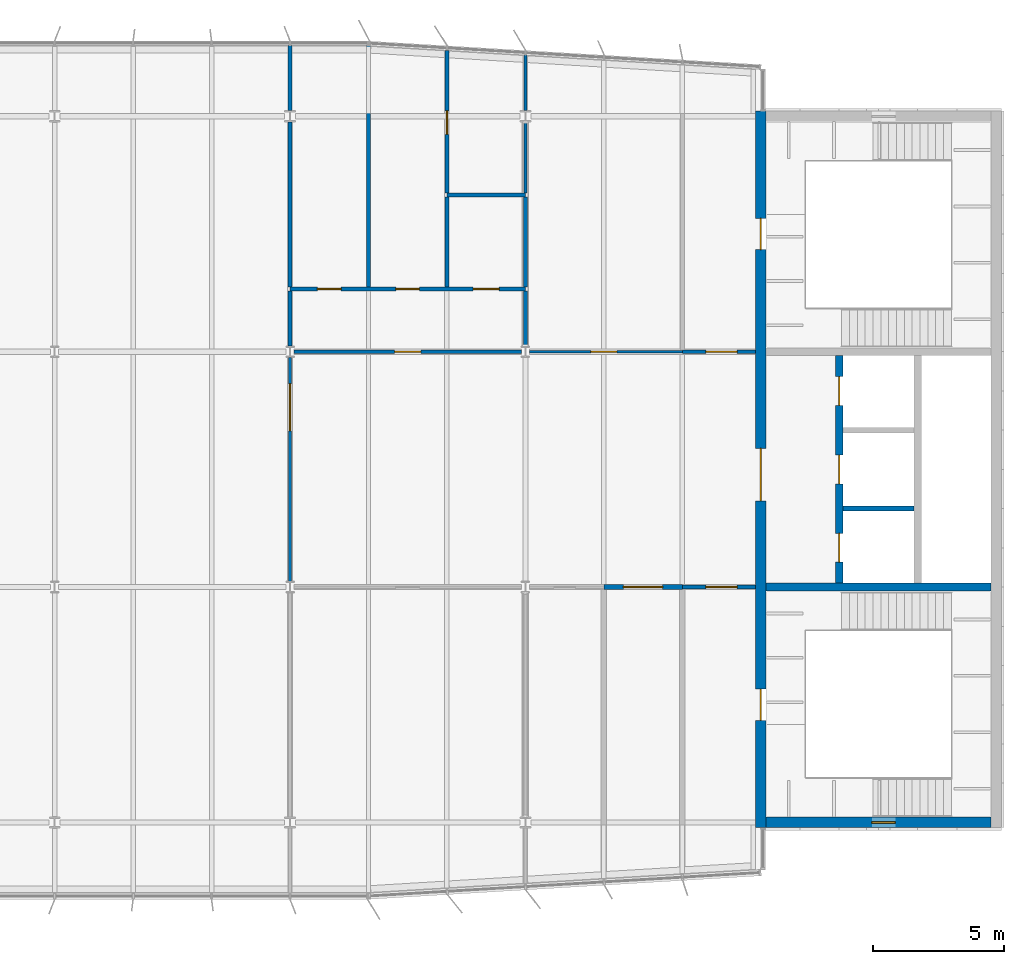
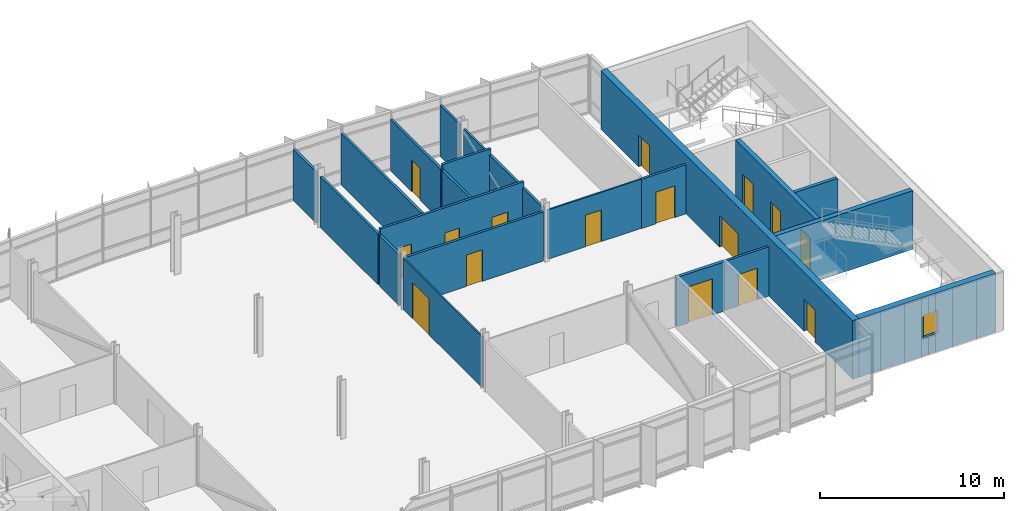
# One storey, part 13 of 18: 23 walls, 16 doors, 1 window, 17 openings.
"""IFC4 building model written with IfcOpenShell, lengths in metres."""

from ifc_helpers import new_model, si_unit, direction, frame, frame_2d, origin, place, context, subcontext, project, spatial, rectangle, extrude, material, layer, layer_set, type_object, element, fill, save


model = new_model("IFC4")

# Units and contexts
model_context = context("Model", 3, precision=1e-05, world=origin(), true_north=direction((0.0, 1.0)))
body_context = subcontext(model_context, "Body", "Model", "MODEL_VIEW")
ifc_project = project(units=[si_unit("LENGTHUNIT", "METRE"), si_unit("AREAUNIT", "SQUARE_METRE"), si_unit("VOLUMEUNIT", "CUBIC_METRE"), si_unit("PLANEANGLEUNIT", "RADIAN"), si_unit("MASSUNIT", "GRAM", prefix="KILO")], contexts=[model_context])

# Site, building, storey
site_placement = place(None, origin())
site = spatial("IfcSite", under=ifc_project, at=site_placement, CompositionType="ELEMENT")
building_placement = place(site_placement, origin())
building = spatial("IfcBuilding", under=site, at=building_placement, Name="Azimuth Sports and Learning Centre", CompositionType="ELEMENT")
storey_placement = place(building_placement, frame((0.0, 0.0, 59.699951171875)))
storey = spatial("IfcBuildingStorey", under=building, at=storey_placement, Name="L13", CompositionType="ELEMENT", Elevation=59.699951171875)

# Wall
ifc_material_1 = material(Name="Dense masonry blockwork", Category="masonry")
ifc_layer_1 = layer(ifc_material_1, 0.199951171875)
ifc_layer_set_1 = layer_set([ifc_layer_1], Name="Dense masonry blockwork")
wall_type_1 = type_object("IfcWallType", Name="Blockwork wall 200 EI 120", PredefinedType="SOLIDWALL", material=ifc_layer_set_1)
wall_1_placement = place(storey_placement, frame((111.14990234375, 102.0, 0.0), z_axis=(0.0, 0.0, 1.0), x_axis=(1.0, 0.0, 0.0)))
element("IfcWall", 1, at=wall_1_placement, inside=storey, type_object=wall_type_1, Name="SD-E-1-L13", PredefinedType="SOLIDWALL", context=body_context, shape_type="SweptSolid", body=[
    extrude(rectangle(XDim=2.7001953125, YDim=0.199951171875, at=frame_2d((1.35009765625, 0.0))), origin(), (0.0, 0.0, 1.0), 3.900146484375),
])

# Wall, opening, door
ifc_material_2 = material(Name="Gypsum board on steel studs", Category="steel")
ifc_layer_2 = layer(ifc_material_2, 0.10009765625)
ifc_layer_set_2 = layer_set([ifc_layer_2], Name="Gypsum board on steel studs")
wall_type_2 = type_object("IfcWallType", Name="Partition 100 EI 30", PredefinedType="PARTITIONING", material=ifc_layer_set_2)
wall_2_placement = place(storey_placement, frame((99.153564453125, 108.0, 0.0), z_axis=(0.0, 0.0, 1.0), x_axis=(1.0, 0.0, 0.0)))
wall_2 = element("IfcWall", 2, at=wall_2_placement, inside=storey, type_object=wall_type_2, Name="Partition Classroom 13.18 / Learning Street East", PredefinedType="PARTITIONING", context=body_context, shape_type="SweptSolid", body=[
    extrude(rectangle(XDim=5.846435546875, YDim=0.10009765625, at=frame_2d((2.92333984375, 0.0))), origin(), (0.0, 0.0, 1.0), 3.27001953125),
])
opening_1_placement = place(wall_2_placement, frame((2.346435546875, 0.0, 0.0)))
opening_1 = element("IfcOpeningElement", 3, at=opening_1_placement, cuts=wall_2, Name="Opening D13-023", PredefinedType="OPENING", context=body_context, shape_type="SweptSolid", body=[
    extrude(rectangle(XDim=1.0, YDim=2.10009765625, at=frame_2d((0.5, 1.050048828125))), frame((0.0, 0.06103515625, 0.0), z_axis=(0.0, -1.0, 0.0), x_axis=(1.0, 0.0, 0.0)), (0.0, 0.0, 1.0), 0.1220703125),
])
ifc_material_3 = material(Name="Painted steel door set", Category="steel")
door_type_1 = type_object("IfcDoorType", Name="Fire door FD30S 1000 x 2100", OperationType="NOTDEFINED", PredefinedType="DOOR", material=ifc_material_3)
door_1_placement = place(opening_1_placement, origin())
door_1 = element("IfcDoor", 4, at=door_1_placement, inside=storey, type_object=door_type_1, Name="Door Classroom 13.18 / Learning Street East", OperationType="SINGLE_SWING_LEFT", OverallHeight=2.10009765625, OverallWidth=1.0, PredefinedType="DOOR", context=body_context, shape_type="SweptSolid", body=[
    extrude(rectangle(XDim=1.0, YDim=2.10009765625, at=frame_2d((0.5, 1.050048828125))), frame((0.0, 0.02490234375, 0.0), z_axis=(0.0, -1.0, 0.0), x_axis=(1.0, 0.0, 0.0)), (0.0, 0.0, 1.0), 0.050048828125),
])
fill(opening_1, door_1)

wall_3_placement = place(storey_placement, frame((90.0, 99.216064453125, 0.0), z_axis=(0.0, 0.0, 1.0), x_axis=(0.0, 1.0, 0.0)))
wall_3 = element("IfcWall", 5, at=wall_3_placement, inside=storey, type_object=wall_type_2, Name="Partition Computing Studio 13.08 / Learning Street East", PredefinedType="PARTITIONING", context=body_context, shape_type="SweptSolid", body=[
    extrude(rectangle(XDim=8.56787109375, YDim=0.10009765625, at=frame_2d((4.283935546875, 0.0))), origin(), (0.0, 0.0, 1.0), 3.3701171875),
])
opening_2_placement = place(wall_3_placement, frame((5.759033203125, 0.0, 0.0)))
opening_2 = element("IfcOpeningElement", 6, at=opening_2_placement, cuts=wall_3, Name="Opening D13-017", PredefinedType="OPENING", context=body_context, shape_type="SweptSolid", body=[
    extrude(rectangle(XDim=1.800048828125, YDim=2.39990234375, at=frame_2d((0.89990234375, 1.199951171875))), frame((0.0, 0.06103515625, 0.0), z_axis=(0.0, -1.0, 0.0), x_axis=(1.0, 0.0, 0.0)), (0.0, 0.0, 1.0), 0.1220703125),
])
ifc_material_4 = material(Name="Painted steel door set", Category="steel")
door_type_2 = type_object("IfcDoorType", Name="Fire door FD30S 1800 x 2400 double leaf", OperationType="DOUBLE_DOOR_SINGLE_SWING", PredefinedType="DOOR", material=ifc_material_4)
door_2_placement = place(opening_2_placement, origin())
door_2 = element("IfcDoor", 7, at=door_2_placement, inside=storey, type_object=door_type_2, Name="Door Computing Studio 13.08 / Learning Street East", OperationType="DOUBLE_DOOR_SINGLE_SWING", OverallHeight=2.39990234375, OverallWidth=1.800048828125, PredefinedType="DOOR", context=body_context, shape_type="SweptSolid", body=[
    extrude(rectangle(XDim=1.800048828125, YDim=2.39990234375, at=frame_2d((0.89990234375, 1.199951171875))), frame((0.0, 0.02490234375, 0.0), z_axis=(0.0, -1.0, 0.0), x_axis=(1.0, 0.0, 0.0)), (0.0, 0.0, 1.0), 0.050048828125),
])
fill(opening_2, door_2)

# Walls
ifc_material_5 = material(Name="Gypsum board on steel studs, acoustic", Category="steel")
ifc_layer_3 = layer(ifc_material_5, 0.125)
ifc_layer_set_3 = layer_set([ifc_layer_3], Name="Gypsum board on steel studs, acoustic")
wall_type_3 = type_object("IfcWallType", Name="Partition 125 EI 60", PredefinedType="PARTITIONING", material=ifc_layer_set_3)
wall_4_placement = place(storey_placement, frame((99.0, 114.074951171875, 0.0), z_axis=(0.0, 0.0, 1.0), x_axis=(0.0, 1.0, 0.0)))
element("IfcWall", 8, at=wall_4_placement, inside=storey, type_object=wall_type_3, Name="Partition Cleaner Store 13.17 / Classroom 13.18", PredefinedType="PARTITIONING", context=body_context, shape_type="SweptSolid", body=[
    extrude(rectangle(XDim=2.70751953125, YDim=0.125, at=frame_2d((1.353759765625, 0.0))), origin(), (0.0, 0.0, 1.0), 3.3701171875),
])
wall_5_placement = place(storey_placement, frame((99.0, 117.217529296875, 0.0), z_axis=(0.0, 0.0, 1.0), x_axis=(0.0, 1.0, 0.0)))
element("IfcWall", 9, at=wall_5_placement, inside=storey, type_object=wall_type_3, Name="Partition Cleaner Store 13.17 / Classroom 13.18", PredefinedType="PARTITIONING", context=body_context, shape_type="SweptSolid", body=[
    extrude(rectangle(XDim=2.12255859375, YDim=0.125, at=frame_2d((1.061279296875, 0.0))), origin(), (0.0, 0.0, 1.0), 3.41015625),
])

# Wall, opening, door
ifc_material_6 = material(Name="Lightweight blockwork, rendered", Category="masonry")
ifc_layer_4 = layer(ifc_material_6, 0.14990234375)
ifc_layer_set_4 = layer_set([ifc_layer_4], Name="Lightweight blockwork, rendered")
wall_type_4 = type_object("IfcWallType", Name="Partition 150 EI 60", PredefinedType="PARTITIONING", material=ifc_layer_set_4)
wall_6_placement = place(storey_placement, frame((105.0, 99.0, 0.0), z_axis=(0.0, 0.0, 1.0), x_axis=(1.0, 0.0, 0.0)))
wall_6 = element("IfcWall", 10, at=wall_6_placement, inside=storey, type_object=wall_type_4, Name="Partition Stair Lobby E1 13.03 / Learning Street East", PredefinedType="PARTITIONING", context=body_context, shape_type="SweptSolid", body=[
    extrude(rectangle(XDim=2.800048828125, YDim=0.14990234375, at=frame_2d((1.39990234375, 0.0))), origin(), (0.0, 0.0, 1.0), 3.27001953125),
])
opening_3_placement = place(wall_6_placement, frame((0.89990234375, 0.0, 0.0)))
opening_3 = element("IfcOpeningElement", 11, at=opening_3_placement, cuts=wall_6, Name="Opening D13-013", PredefinedType="OPENING", context=body_context, shape_type="SweptSolid", body=[
    extrude(rectangle(XDim=1.199951171875, YDim=2.10009765625, at=frame_2d((0.60009765625, 1.050048828125))), frame((0.0, 0.0859375, 0.0), z_axis=(0.0, -1.0, 0.0), x_axis=(1.0, 0.0, 0.0)), (0.0, 0.0, 1.0), 0.171875),
])
ifc_material_7 = material(Name="Painted steel door set", Category="steel")
door_type_3 = type_object("IfcDoorType", Name="Fire door FD60 1200 x 2100", OperationType="NOTDEFINED", PredefinedType="DOOR", material=ifc_material_7)
door_3_placement = place(opening_3_placement, frame((1.199951171875, 0.0, 0.0), z_axis=(0.0, 0.0, 1.0), x_axis=(-1.0, 0.0, 0.0)))
door_3 = element("IfcDoor", 12, at=door_3_placement, inside=storey, type_object=door_type_3, Name="Door Stair Lobby E1 13.03 / Learning Street East", OperationType="SINGLE_SWING_LEFT", OverallHeight=2.10009765625, OverallWidth=1.199951171875, PredefinedType="DOOR", context=body_context, shape_type="SweptSolid", body=[
    extrude(rectangle(XDim=1.199951171875, YDim=2.10009765625, at=frame_2d((0.60009765625, 1.050048828125))), frame((0.0, 0.02490234375, 0.0), z_axis=(0.0, -1.0, 0.0), x_axis=(1.0, 0.0, 0.0)), (0.0, 0.0, 1.0), 0.050048828125),
])
fill(opening_3, door_3)

wall_7_placement = place(storey_placement, frame((90.153564453125, 108.0, 0.0), z_axis=(0.0, 0.0, 1.0), x_axis=(1.0, 0.0, 0.0)))
wall_7 = element("IfcWall", 13, at=wall_7_placement, inside=storey, type_object=wall_type_4, Name="Partition WC Lobby 13.13 / Learning Street East", PredefinedType="PARTITIONING", context=body_context, shape_type="SweptSolid", body=[
    extrude(rectangle(XDim=8.69287109375, YDim=0.14990234375, at=frame_2d((4.346435546875, 0.0))), origin(), (0.0, 0.0, 1.0), 3.27001953125),
])
opening_4_placement = place(wall_7_placement, frame((3.846435546875, 0.0, 0.0)))
opening_4 = element("IfcOpeningElement", 14, at=opening_4_placement, cuts=wall_7, Name="Opening D13-022", PredefinedType="OPENING", context=body_context, shape_type="SweptSolid", body=[
    extrude(rectangle(XDim=1.0, YDim=2.10009765625, at=frame_2d((0.5, 1.050048828125))), frame((0.0, 0.0859375, 0.0), z_axis=(0.0, -1.0, 0.0), x_axis=(1.0, 0.0, 0.0)), (0.0, 0.0, 1.0), 0.171875),
])
ifc_material_8 = material(Name="Painted steel door set", Category="steel")
door_type_4 = type_object("IfcDoorType", Name="Fire door FD60 1000 x 2100", OperationType="NOTDEFINED", PredefinedType="DOOR", material=ifc_material_8)
door_4_placement = place(opening_4_placement, origin())
door_4 = element("IfcDoor", 15, at=door_4_placement, inside=storey, type_object=door_type_4, Name="Door WC Lobby 13.13 / Learning Street East", OperationType="SINGLE_SWING_LEFT", OverallHeight=2.10009765625, OverallWidth=1.0, PredefinedType="DOOR", context=body_context, shape_type="SweptSolid", body=[
    extrude(rectangle(XDim=1.0, YDim=2.10009765625, at=frame_2d((0.5, 1.050048828125))), frame((0.0, 0.02490234375, 0.0), z_axis=(0.0, -1.0, 0.0), x_axis=(1.0, 0.0, 0.0)), (0.0, 0.0, 1.0), 0.050048828125),
])
fill(opening_4, door_4)

wall_8_placement = place(storey_placement, frame((105.0, 108.0, 0.0), z_axis=(0.0, 0.0, 1.0), x_axis=(1.0, 0.0, 0.0)))
wall_8 = element("IfcWall", 16, at=wall_8_placement, inside=storey, type_object=wall_type_4, Name="Partition Stair Lobby E2 13.04 / Learning Street East", PredefinedType="PARTITIONING", context=body_context, shape_type="SweptSolid", body=[
    extrude(rectangle(XDim=2.800048828125, YDim=0.14990234375, at=frame_2d((1.39990234375, 0.0))), origin(), (0.0, 0.0, 1.0), 3.27001953125),
])
opening_5_placement = place(wall_8_placement, frame((0.89990234375, 0.0, 0.0)))
opening_5 = element("IfcOpeningElement", 17, at=opening_5_placement, cuts=wall_8, Name="Opening D13-014", PredefinedType="OPENING", context=body_context, shape_type="SweptSolid", body=[
    extrude(rectangle(XDim=1.199951171875, YDim=2.10009765625, at=frame_2d((0.60009765625, 1.050048828125))), frame((0.0, 0.0859375, 0.0), z_axis=(0.0, -1.0, 0.0), x_axis=(1.0, 0.0, 0.0)), (0.0, 0.0, 1.0), 0.171875),
])
door_5_placement = place(opening_5_placement, origin())
door_5 = element("IfcDoor", 18, at=door_5_placement, inside=storey, type_object=door_type_3, Name="Door Stair Lobby E2 13.04 / Learning Street East", OperationType="SINGLE_SWING_RIGHT", OverallHeight=2.10009765625, OverallWidth=1.199951171875, PredefinedType="DOOR", context=body_context, shape_type="SweptSolid", body=[
    extrude(rectangle(XDim=1.199951171875, YDim=2.10009765625, at=frame_2d((0.60009765625, 1.050048828125))), frame((0.0, 0.02490234375, 0.0), z_axis=(0.0, -1.0, 0.0), x_axis=(1.0, 0.0, 0.0)), (0.0, 0.0, 1.0), 0.050048828125),
])
fill(opening_5, door_5)

# Wall, openings, doors
wall_9_placement = place(storey_placement, frame((90.0, 110.39990234375, 0.0), z_axis=(0.0, 0.0, 1.0), x_axis=(1.0, 0.0, 0.0)))
wall_9 = element("IfcWall", 19, at=wall_9_placement, inside=storey, type_object=wall_type_4, Name="Partition WC Lobby 13.13 / Men WC 13.14", PredefinedType="PARTITIONING", context=body_context, shape_type="SweptSolid", body=[
    extrude(rectangle(XDim=9.0, YDim=0.14990234375, at=frame_2d((4.5, 0.0))), origin(), (0.0, 0.0, 1.0), 3.77001953125),
])
opening_6_placement = place(wall_9_placement, frame((1.050048828125, 0.0, 0.0)))
opening_6 = element("IfcOpeningElement", 20, at=opening_6_placement, cuts=wall_9, Name="Opening D13-024", PredefinedType="OPENING", context=body_context, shape_type="SweptSolid", body=[
    extrude(rectangle(XDim=0.89990234375, YDim=2.10009765625, at=frame_2d((0.449951171875, 1.050048828125))), frame((0.0, 0.0859375, 0.0), z_axis=(0.0, -1.0, 0.0), x_axis=(1.0, 0.0, 0.0)), (0.0, 0.0, 1.0), 0.171875),
])
opening_7_placement = place(wall_9_placement, frame((4.050048828125, 0.0, 0.0)))
opening_7 = element("IfcOpeningElement", 21, at=opening_7_placement, cuts=wall_9, Name="Opening D13-025", PredefinedType="OPENING", context=body_context, shape_type="SweptSolid", body=[
    extrude(rectangle(XDim=0.89990234375, YDim=2.10009765625, at=frame_2d((0.449951171875, 1.050048828125))), frame((0.0, 0.0859375, 0.0), z_axis=(0.0, -1.0, 0.0), x_axis=(1.0, 0.0, 0.0)), (0.0, 0.0, 1.0), 0.171875),
])
opening_8_placement = place(wall_9_placement, frame((7.0, 0.0, 0.0)))
opening_8 = element("IfcOpeningElement", 22, at=opening_8_placement, cuts=wall_9, Name="Opening D13-026", PredefinedType="OPENING", context=body_context, shape_type="SweptSolid", body=[
    extrude(rectangle(XDim=1.0, YDim=2.10009765625, at=frame_2d((0.5, 1.050048828125))), frame((0.0, 0.0859375, 0.0), z_axis=(0.0, -1.0, 0.0), x_axis=(1.0, 0.0, 0.0)), (0.0, 0.0, 1.0), 0.171875),
])
door_6_placement = place(opening_8_placement, origin())
door_6 = element("IfcDoor", 23, at=door_6_placement, inside=storey, type_object=door_type_4, Name="Door WC Lobby 13.13 / Accessible WC 13.16", OperationType="SINGLE_SWING_LEFT", OverallHeight=2.10009765625, OverallWidth=1.0, PredefinedType="DOOR", context=body_context, shape_type="SweptSolid", body=[
    extrude(rectangle(XDim=1.0, YDim=2.10009765625, at=frame_2d((0.5, 1.050048828125))), frame((0.0, 0.02490234375, 0.0), z_axis=(0.0, -1.0, 0.0), x_axis=(1.0, 0.0, 0.0)), (0.0, 0.0, 1.0), 0.050048828125),
])
fill(opening_8, door_6)
ifc_material_9 = material(Name="Painted steel door set", Category="steel")
door_type_5 = type_object("IfcDoorType", Name="Fire door FD60 900 x 2100", OperationType="NOTDEFINED", PredefinedType="DOOR", material=ifc_material_9)
door_7_placement = place(opening_6_placement, frame((0.89990234375, 0.0, 0.0), z_axis=(0.0, 0.0, 1.0), x_axis=(-1.0, 0.0, 0.0)))
door_7 = element("IfcDoor", 24, at=door_7_placement, inside=storey, type_object=door_type_5, Name="Door WC Lobby 13.13 / Men WC 13.14", OperationType="SINGLE_SWING_RIGHT", OverallHeight=2.10009765625, OverallWidth=0.89990234375, PredefinedType="DOOR", context=body_context, shape_type="SweptSolid", body=[
    extrude(rectangle(XDim=0.89990234375, YDim=2.10009765625, at=frame_2d((0.449951171875, 1.050048828125))), frame((0.0, 0.02490234375, 0.0), z_axis=(0.0, -1.0, 0.0), x_axis=(1.0, 0.0, 0.0)), (0.0, 0.0, 1.0), 0.050048828125),
])
fill(opening_6, door_7)
door_8_placement = place(opening_7_placement, frame((0.89990234375, 0.0, 0.0), z_axis=(0.0, 0.0, 1.0), x_axis=(-1.0, 0.0, 0.0)))
door_8 = element("IfcDoor", 25, at=door_8_placement, inside=storey, type_object=door_type_5, Name="Door WC Lobby 13.13 / Women WC 13.15", OperationType="SINGLE_SWING_RIGHT", OverallHeight=2.10009765625, OverallWidth=0.89990234375, PredefinedType="DOOR", context=body_context, shape_type="SweptSolid", body=[
    extrude(rectangle(XDim=0.89990234375, YDim=2.10009765625, at=frame_2d((0.449951171875, 1.050048828125))), frame((0.0, 0.02490234375, 0.0), z_axis=(0.0, -1.0, 0.0), x_axis=(1.0, 0.0, 0.0)), (0.0, 0.0, 1.0), 0.050048828125),
])
fill(opening_7, door_8)

# Walls
wall_10_placement = place(storey_placement, frame((96.0, 114.0, 0.0), z_axis=(0.0, 0.0, 1.0), x_axis=(1.0, 0.0, 0.0)))
element("IfcWall", 26, at=wall_10_placement, inside=storey, type_object=wall_type_4, Name="Partition Accessible WC 13.16 / Cleaner Store 13.17", PredefinedType="PARTITIONING", context=body_context, shape_type="SweptSolid", body=[
    extrude(rectangle(XDim=3.0, YDim=0.14990234375, at=frame_2d((1.5, 0.0))), origin(), (0.0, 0.0, 1.0), 3.77001953125),
])
wall_11_placement = place(storey_placement, frame((90.0, 108.216064453125, 0.0), z_axis=(0.0, 0.0, 1.0), x_axis=(0.0, 1.0, 0.0)))
element("IfcWall", 27, at=wall_11_placement, inside=storey, type_object=wall_type_4, Name="Partition Computing Studio 13.08 / WC Lobby 13.13", PredefinedType="PARTITIONING", context=body_context, shape_type="SweptSolid", body=[
    extrude(rectangle(XDim=2.10888671875, YDim=0.14990234375, at=frame_2d((1.054443359375, 0.0))), origin(), (0.0, 0.0, 1.0), 3.3701171875),
])
wall_12_placement = place(storey_placement, frame((90.0, 110.47509765625, 0.0), z_axis=(0.0, 0.0, 1.0), x_axis=(0.0, 1.0, 0.0)))
element("IfcWall", 28, at=wall_12_placement, inside=storey, type_object=wall_type_4, Name="Partition Computing Studio 13.08 / WC Lobby 13.13", PredefinedType="PARTITIONING", context=body_context, shape_type="SweptSolid", body=[
    extrude(rectangle(XDim=6.307373046875, YDim=0.14990234375, at=frame_2d((3.15380859375, 0.0))), origin(), (0.0, 0.0, 1.0), 3.3701171875),
])
wall_13_placement = place(storey_placement, frame((90.0, 117.217529296875, 0.0), z_axis=(0.0, 0.0, 1.0), x_axis=(0.0, 1.0, 0.0)))
element("IfcWall", 29, at=wall_13_placement, inside=storey, type_object=wall_type_4, Name="Partition Computing Studio 13.08 / WC Lobby 13.13", PredefinedType="PARTITIONING", context=body_context, shape_type="SweptSolid", body=[
    extrude(rectangle(XDim=2.482421875, YDim=0.14990234375, at=frame_2d((1.2412109375, 0.0))), origin(), (0.0, 0.0, 1.0), 3.41015625),
])
wall_14_placement = place(storey_placement, frame((93.0, 110.47509765625, 0.0), z_axis=(0.0, 0.0, 1.0), x_axis=(0.0, 1.0, 0.0)))
element("IfcWall", 30, at=wall_14_placement, inside=storey, type_object=wall_type_4, Name="Partition Men WC 13.14 / Women WC 13.15", PredefinedType="PARTITIONING", context=body_context, shape_type="SweptSolid", body=[
    extrude(rectangle(XDim=9.224853515625, YDim=0.14990234375, at=frame_2d((4.6123046875, 0.0))), origin(), (0.0, 0.0, 1.0), 3.41015625),
])
wall_15_placement = place(storey_placement, frame((96.0, 110.47509765625, 0.0), z_axis=(0.0, 0.0, 1.0), x_axis=(0.0, 1.0, 0.0)))
element("IfcWall", 31, at=wall_15_placement, inside=storey, type_object=wall_type_4, Name="Partition Women WC 13.15 / Accessible WC 13.16", PredefinedType="PARTITIONING", context=body_context, shape_type="SweptSolid", body=[
    extrude(rectangle(XDim=3.449951171875, YDim=0.14990234375, at=frame_2d((1.72509765625, 0.0))), origin(), (0.0, 0.0, 1.0), 3.41015625),
])

# Wall, opening, door
wall_16_placement = place(storey_placement, frame((96.0, 114.074951171875, 0.0), z_axis=(0.0, 0.0, 1.0), x_axis=(0.0, 1.0, 0.0)))
wall_16 = element("IfcWall", 32, at=wall_16_placement, inside=storey, type_object=wall_type_4, Name="Partition Women WC 13.15 / Accessible WC 13.16", PredefinedType="PARTITIONING", context=body_context, shape_type="SweptSolid", body=[
    extrude(rectangle(XDim=5.445068359375, YDim=0.14990234375, at=frame_2d((2.72265625, 0.0))), origin(), (0.0, 0.0, 1.0), 3.41015625),
])
opening_9_placement = place(wall_16_placement, frame((2.235107421875, 0.0, 0.0)))
opening_9 = element("IfcOpeningElement", 33, at=opening_9_placement, cuts=wall_16, Name="Opening D13-027", PredefinedType="OPENING", context=body_context, shape_type="SweptSolid", body=[
    extrude(rectangle(XDim=0.89990234375, YDim=2.10009765625, at=frame_2d((0.449951171875, 1.050048828125))), frame((0.0, 0.0859375, 0.0), z_axis=(0.0, -1.0, 0.0), x_axis=(1.0, 0.0, 0.0)), (0.0, 0.0, 1.0), 0.171875),
])
door_9_placement = place(opening_9_placement, frame((0.89990234375, 0.0, 0.0), z_axis=(0.0, 0.0, 1.0), x_axis=(-1.0, 0.0, 0.0)))
door_9 = element("IfcDoor", 34, at=door_9_placement, inside=storey, type_object=door_type_5, Name="Door Women WC 13.15 / Cleaner Store 13.17", OperationType="SINGLE_SWING_RIGHT", OverallHeight=2.10009765625, OverallWidth=0.89990234375, PredefinedType="DOOR", context=body_context, shape_type="SweptSolid", body=[
    extrude(rectangle(XDim=0.89990234375, YDim=2.10009765625, at=frame_2d((0.449951171875, 1.050048828125))), frame((0.0, 0.02490234375, 0.0), z_axis=(0.0, -1.0, 0.0), x_axis=(1.0, 0.0, 0.0)), (0.0, 0.0, 1.0), 0.050048828125),
])
fill(opening_9, door_9)

# Walls
wall_17_placement = place(storey_placement, frame((99.0, 108.216064453125, 0.0), z_axis=(0.0, 0.0, 1.0), x_axis=(0.0, 1.0, 0.0)))
element("IfcWall", 35, at=wall_17_placement, inside=storey, type_object=wall_type_4, Name="Partition WC Lobby 13.13 / Accessible WC 13.16", PredefinedType="PARTITIONING", context=body_context, shape_type="SweptSolid", body=[
    extrude(rectangle(XDim=2.10888671875, YDim=0.14990234375, at=frame_2d((1.054443359375, 0.0))), origin(), (0.0, 0.0, 1.0), 3.3701171875),
])
wall_18_placement = place(storey_placement, frame((99.0, 110.47509765625, 0.0), z_axis=(0.0, 0.0, 1.0), x_axis=(0.0, 1.0, 0.0)))
element("IfcWall", 36, at=wall_18_placement, inside=storey, type_object=wall_type_4, Name="Partition WC Lobby 13.13 / Accessible WC 13.16", PredefinedType="PARTITIONING", context=body_context, shape_type="SweptSolid", body=[
    extrude(rectangle(XDim=3.449951171875, YDim=0.14990234375, at=frame_2d((1.72509765625, 0.0))), origin(), (0.0, 0.0, 1.0), 3.3701171875),
])

# Wall, opening, door
ifc_material_10 = material(Name="Lightweight blockwork, rendered", Category="masonry")
ifc_layer_5 = layer(ifc_material_10, 0.199951171875)
ifc_layer_set_5 = layer_set([ifc_layer_5], Name="Lightweight blockwork, rendered")
wall_type_5 = type_object("IfcWallType", Name="Partition 200 EI 120", PredefinedType="PARTITIONING", material=ifc_layer_set_5)
wall_19_placement = place(storey_placement, frame((102.0, 99.0, 0.0), z_axis=(0.0, 0.0, 1.0), x_axis=(1.0, 0.0, 0.0)))
wall_19 = element("IfcWall", 37, at=wall_19_placement, inside=storey, type_object=wall_type_5, Name="Partition Server Room 13.11 / Learning Street East", PredefinedType="PARTITIONING", context=body_context, shape_type="SweptSolid", body=[
    extrude(rectangle(XDim=3.0, YDim=0.199951171875, at=frame_2d((1.5, 0.0))), origin(), (0.0, 0.0, 1.0), 3.27001953125),
])
opening_10_placement = place(wall_19_placement, frame((0.75, 0.0, 0.0)))
opening_10 = element("IfcOpeningElement", 38, at=opening_10_placement, cuts=wall_19, Name="Opening D13-020", PredefinedType="OPENING", context=body_context, shape_type="SweptSolid", body=[
    extrude(rectangle(XDim=1.5, YDim=2.39990234375, at=frame_2d((0.75, 1.199951171875))), frame((0.0, 0.11083984375, 0.0), z_axis=(0.0, -1.0, 0.0), x_axis=(1.0, 0.0, 0.0)), (0.0, 0.0, 1.0), 0.221923828125),
])
ifc_material_11 = material(Name="Painted steel door set", Category="steel")
door_type_6 = type_object("IfcDoorType", Name="Fire door FD120 1500 x 2400 double leaf", OperationType="DOUBLE_DOOR_SINGLE_SWING", PredefinedType="DOOR", material=ifc_material_11)
door_10_placement = place(opening_10_placement, origin())
door_10 = element("IfcDoor", 39, at=door_10_placement, inside=storey, type_object=door_type_6, Name="Door Server Room 13.11 / Learning Street East", OperationType="DOUBLE_DOOR_SINGLE_SWING", OverallHeight=2.39990234375, OverallWidth=1.5, PredefinedType="DOOR", context=body_context, shape_type="SweptSolid", body=[
    extrude(rectangle(XDim=1.5, YDim=2.39990234375, at=frame_2d((0.75, 1.199951171875))), frame((0.0, 0.02490234375, 0.0), z_axis=(0.0, -1.0, 0.0), x_axis=(1.0, 0.0, 0.0)), (0.0, 0.0, 1.0), 0.050048828125),
])
fill(opening_10, door_10)

# Wall
ifc_material_12 = material(Name="Concrete C40/50", Category="concrete")
ifc_layer_6 = layer(ifc_material_12, 0.300048828125)
ifc_layer_set_6 = layer_set([ifc_layer_6], Name="Concrete C40/50")
wall_type_6 = type_object("IfcWallType", Name="RC core wall 300", PredefinedType="SHEAR", material=ifc_layer_set_6)
wall_20_placement = place(storey_placement, frame((108.199951171875, 99.0, 0.0), z_axis=(0.0, 0.0, 1.0), x_axis=(1.0, 0.0, 0.0)))
element("IfcWall", 40, at=wall_20_placement, inside=storey, type_object=wall_type_6, Name="Core wall E D1 L13", PredefinedType="SHEAR", context=body_context, shape_type="SweptSolid", body=[
    extrude(rectangle(XDim=8.60009765625, YDim=0.300048828125, at=frame_2d((4.300048828125, 0.0))), origin(), (0.0, 0.0, 1.0), 3.900146484375),
])

# Wall, openings, doors
wall_21_placement = place(storey_placement, frame((111.0, 99.14990234375, 0.0), z_axis=(0.0, 0.0, 1.0), x_axis=(0.0, 1.0, 0.0)))
wall_21 = element("IfcWall", 41, at=wall_21_placement, inside=storey, type_object=wall_type_6, Name="Core wall E LB1 L13", PredefinedType="SHEAR", context=body_context, shape_type="SweptSolid", body=[
    extrude(rectangle(XDim=8.7001953125, YDim=0.300048828125, at=frame_2d((4.35009765625, 0.0))), origin(), (0.0, 0.0, 1.0), 3.900146484375),
])
opening_11_placement = place(wall_21_placement, frame((0.800048828125, 0.0, 0.0)))
opening_11 = element("IfcOpeningElement", 42, at=opening_11_placement, cuts=wall_21, Name="Opening D13-008", PredefinedType="OPENING", context=body_context, shape_type="SweptSolid", body=[
    extrude(rectangle(XDim=1.10009765625, YDim=2.10009765625, at=frame_2d((0.550048828125, 1.050048828125))), frame((0.0, 0.1611328125, 0.0), z_axis=(0.0, -1.0, 0.0), x_axis=(1.0, 0.0, 0.0)), (0.0, 0.0, 1.0), 0.322021484375),
])
opening_12_placement = place(wall_21_placement, frame((3.800048828125, 0.0, 0.0)))
opening_12 = element("IfcOpeningElement", 43, at=opening_12_placement, cuts=wall_21, Name="Opening D13-009", PredefinedType="OPENING", context=body_context, shape_type="SweptSolid", body=[
    extrude(rectangle(XDim=1.10009765625, YDim=2.10009765625, at=frame_2d((0.550048828125, 1.050048828125))), frame((0.0, 0.1611328125, 0.0), z_axis=(0.0, -1.0, 0.0), x_axis=(1.0, 0.0, 0.0)), (0.0, 0.0, 1.0), 0.322021484375),
])
opening_13_placement = place(wall_21_placement, frame((6.800048828125, 0.0, 0.0)))
opening_13 = element("IfcOpeningElement", 44, at=opening_13_placement, cuts=wall_21, Name="Opening D13-010", PredefinedType="OPENING", context=body_context, shape_type="SweptSolid", body=[
    extrude(rectangle(XDim=1.10009765625, YDim=2.10009765625, at=frame_2d((0.550048828125, 1.050048828125))), frame((0.0, 0.1611328125, 0.0), z_axis=(0.0, -1.0, 0.0), x_axis=(1.0, 0.0, 0.0)), (0.0, 0.0, 1.0), 0.322021484375),
])
ifc_material_13 = material(Name="Stainless steel", Category="steel")
door_type_7 = type_object("IfcDoorType", Name="Lift landing door 1100 x 2100", OperationType="DOUBLE_DOOR_SLIDING", PredefinedType="DOOR", material=ifc_material_13)
door_11_placement = place(opening_11_placement, origin())
door_11 = element("IfcDoor", 45, at=door_11_placement, inside=storey, type_object=door_type_7, Name="Landing door LE1 L13", OperationType="DOUBLE_DOOR_SLIDING", OverallHeight=2.10009765625, OverallWidth=1.10009765625, PredefinedType="DOOR", context=body_context, shape_type="SweptSolid", body=[
    extrude(rectangle(XDim=1.10009765625, YDim=2.10009765625, at=frame_2d((0.550048828125, 1.050048828125))), frame((0.0, 0.02490234375, 0.0), z_axis=(0.0, -1.0, 0.0), x_axis=(1.0, 0.0, 0.0)), (0.0, 0.0, 1.0), 0.050048828125),
])
fill(opening_11, door_11)
door_12_placement = place(opening_12_placement, origin())
door_12 = element("IfcDoor", 46, at=door_12_placement, inside=storey, type_object=door_type_7, Name="Landing door LE2 L13", OperationType="DOUBLE_DOOR_SLIDING", OverallHeight=2.10009765625, OverallWidth=1.10009765625, PredefinedType="DOOR", context=body_context, shape_type="SweptSolid", body=[
    extrude(rectangle(XDim=1.10009765625, YDim=2.10009765625, at=frame_2d((0.550048828125, 1.050048828125))), frame((0.0, 0.02490234375, 0.0), z_axis=(0.0, -1.0, 0.0), x_axis=(1.0, 0.0, 0.0)), (0.0, 0.0, 1.0), 0.050048828125),
])
fill(opening_12, door_12)
door_13_placement = place(opening_13_placement, origin())
door_13 = element("IfcDoor", 47, at=door_13_placement, inside=storey, type_object=door_type_7, Name="Landing door LE3 L13", OperationType="DOUBLE_DOOR_SLIDING", OverallHeight=2.10009765625, OverallWidth=1.10009765625, PredefinedType="DOOR", context=body_context, shape_type="SweptSolid", body=[
    extrude(rectangle(XDim=1.10009765625, YDim=2.10009765625, at=frame_2d((0.550048828125, 1.050048828125))), frame((0.0, 0.02490234375, 0.0), z_axis=(0.0, -1.0, 0.0), x_axis=(1.0, 0.0, 0.0)), (0.0, 0.0, 1.0), 0.050048828125),
])
fill(opening_13, door_13)

ifc_material_14 = material(Name="Concrete C40/50", Category="concrete")
ifc_layer_7 = layer(ifc_material_14, 0.39990234375)
ifc_layer_set_7 = layer_set([ifc_layer_7], Name="Concrete C40/50")
wall_type_7 = type_object("IfcWallType", Name="RC core wall 400", PredefinedType="SHEAR", material=ifc_layer_set_7)
wall_22_placement = place(storey_placement, frame((108.0, 89.800048828125, 0.0), z_axis=(0.0, 0.0, 1.0), x_axis=(0.0, 1.0, 0.0)))
wall_22 = element("IfcWall", 48, at=wall_22_placement, inside=storey, type_object=wall_type_7, Name="Core wall E W L13", PredefinedType="SHEAR", context=body_context, shape_type="SweptSolid", body=[
    extrude(rectangle(XDim=27.39990234375, YDim=0.39990234375, at=frame_2d((13.699951171875, 0.0))), origin(), (0.0, 0.0, 1.0), 3.900146484375),
])
opening_14_placement = place(wall_22_placement, frame((4.10009765625, 0.0, 0.0)))
opening_14 = element("IfcOpeningElement", 49, at=opening_14_placement, cuts=wall_22, Name="Opening D13-003", PredefinedType="OPENING", context=body_context, shape_type="SweptSolid", body=[
    extrude(rectangle(XDim=1.199951171875, YDim=2.10009765625, at=frame_2d((0.60009765625, 1.050048828125))), frame((0.0, 0.2109375, 0.0), z_axis=(0.0, -1.0, 0.0), x_axis=(1.0, 0.0, 0.0)), (0.0, 0.0, 1.0), 0.421875),
])
opening_15_placement = place(wall_22_placement, frame((22.10009765625, 0.0, 0.0)))
opening_15 = element("IfcOpeningElement", 50, at=opening_15_placement, cuts=wall_22, Name="Opening D13-004", PredefinedType="OPENING", context=body_context, shape_type="SweptSolid", body=[
    extrude(rectangle(XDim=1.199951171875, YDim=2.10009765625, at=frame_2d((0.60009765625, 1.050048828125))), frame((0.0, 0.2109375, 0.0), z_axis=(0.0, -1.0, 0.0), x_axis=(1.0, 0.0, 0.0)), (0.0, 0.0, 1.0), 0.421875),
])
opening_16_placement = place(wall_22_placement, frame((12.5, 0.0, 0.0)))
opening_16 = element("IfcOpeningElement", 51, at=opening_16_placement, cuts=wall_22, Name="Opening D13-029", PredefinedType="OPENING", context=body_context, shape_type="SweptSolid", body=[
    extrude(rectangle(XDim=2.0, YDim=2.10009765625, at=frame_2d((1.0, 1.050048828125))), frame((0.0, 0.2109375, 0.0), z_axis=(0.0, -1.0, 0.0), x_axis=(1.0, 0.0, 0.0)), (0.0, 0.0, 1.0), 0.421875),
])
ifc_material_15 = material(Name="Painted steel door set", Category="steel")
door_type_8 = type_object("IfcDoorType", Name="Fire door FD120 2000 x 2100 double leaf", OperationType="DOUBLE_DOOR_SINGLE_SWING", PredefinedType="DOOR", material=ifc_material_15)
door_14_placement = place(opening_16_placement, frame((2.0, 0.0, 0.0), z_axis=(0.0, 0.0, 1.0), x_axis=(-1.0, 0.0, 0.0)))
door_14 = element("IfcDoor", 52, at=door_14_placement, inside=storey, type_object=door_type_8, Name="Door Lift Lobby E 13.06 / Learning Street East", OperationType="DOUBLE_DOOR_SINGLE_SWING", OverallHeight=2.10009765625, OverallWidth=2.0, PredefinedType="DOOR", context=body_context, shape_type="SweptSolid", body=[
    extrude(rectangle(XDim=2.0, YDim=2.10009765625, at=frame_2d((1.0, 1.050048828125))), frame((0.0, 0.02490234375, 0.0), z_axis=(0.0, -1.0, 0.0), x_axis=(1.0, 0.0, 0.0)), (0.0, 0.0, 1.0), 0.050048828125),
])
fill(opening_16, door_14)
ifc_material_16 = material(Name="Steel", Category="steel")
door_type_9 = type_object("IfcDoorType", Name="Stair fire door 1200 x 2100", OperationType="NOTDEFINED", PredefinedType="DOOR", material=ifc_material_16)
door_15_placement = place(opening_14_placement, frame((1.199951171875, 0.0, 0.0), z_axis=(0.0, 0.0, 1.0), x_axis=(-1.0, 0.0, 0.0)))
door_15 = element("IfcDoor", 53, at=door_15_placement, inside=storey, type_object=door_type_9, Name="Stair door E1 L13", OperationType="SINGLE_SWING_RIGHT", OverallHeight=2.10009765625, OverallWidth=1.199951171875, PredefinedType="DOOR", context=body_context, shape_type="SweptSolid", body=[
    extrude(rectangle(XDim=1.199951171875, YDim=2.10009765625, at=frame_2d((0.60009765625, 1.050048828125))), frame((0.0, 0.02490234375, 0.0), z_axis=(0.0, -1.0, 0.0), x_axis=(1.0, 0.0, 0.0)), (0.0, 0.0, 1.0), 0.050048828125),
])
fill(opening_14, door_15)
door_16_placement = place(opening_15_placement, frame((1.199951171875, 0.0, 0.0), z_axis=(0.0, 0.0, 1.0), x_axis=(-1.0, 0.0, 0.0)))
door_16 = element("IfcDoor", 54, at=door_16_placement, inside=storey, type_object=door_type_9, Name="Stair door E2 L13", OperationType="SINGLE_SWING_RIGHT", OverallHeight=2.10009765625, OverallWidth=1.199951171875, PredefinedType="DOOR", context=body_context, shape_type="SweptSolid", body=[
    extrude(rectangle(XDim=1.199951171875, YDim=2.10009765625, at=frame_2d((0.60009765625, 1.050048828125))), frame((0.0, 0.02490234375, 0.0), z_axis=(0.0, -1.0, 0.0), x_axis=(1.0, 0.0, 0.0)), (0.0, 0.0, 1.0), 0.050048828125),
])
fill(opening_15, door_16)

# Wall, opening, window
ifc_material_17 = material(Name="Concrete C40/50", Category="concrete")
ifc_layer_8 = layer(ifc_material_17, 0.39990234375)
ifc_layer_set_8 = layer_set([ifc_layer_8], Name="Concrete C40/50")
wall_type_8 = type_object("IfcWallType", Name="RC external core wall 400", PredefinedType="SHEAR", material=ifc_layer_set_8)
wall_23_placement = place(storey_placement, frame((108.199951171875, 90.0, 0.0), z_axis=(0.0, 0.0, 1.0), x_axis=(1.0, 0.0, 0.0)))
wall_23 = element("IfcWall", 55, at=wall_23_placement, inside=storey, type_object=wall_type_8, Name="Core wall E S L13", PredefinedType="SHEAR", context=body_context, shape_type="SweptSolid", body=[
    extrude(rectangle(XDim=8.60009765625, YDim=0.39990234375, at=frame_2d((4.300048828125, 0.0))), origin(), (0.0, 0.0, 1.0), 3.900146484375),
])
opening_17_placement = place(wall_23_placement, frame((4.050048828125, 0.0, 1.199951171875)))
opening_17 = element("IfcOpeningElement", 56, at=opening_17_placement, cuts=wall_23, Name="Opening W13-002", PredefinedType="OPENING", context=body_context, shape_type="SweptSolid", body=[
    extrude(rectangle(XDim=0.89990234375, YDim=1.5, at=frame_2d((0.449951171875, 0.75))), frame((0.0, 0.2109375, 0.0), z_axis=(0.0, -1.0, 0.0), x_axis=(1.0, 0.0, 0.0)), (0.0, 0.0, 1.0), 0.421875),
])
ifc_material_18 = material(Name="Aluminium and glass", Category="aluminium")
window_type = type_object("IfcWindowType", Name="Stair window tower core 900x1500", PartitioningType="SINGLE_PANEL", PredefinedType="WINDOW", material=ifc_material_18)
window_placement = place(opening_17_placement, origin())
window = element("IfcWindow", 57, at=window_placement, inside=storey, type_object=window_type, Name="Window W13-002", OverallHeight=1.5, OverallWidth=0.89990234375, PartitioningType="SINGLE_PANEL", PredefinedType="WINDOW", context=body_context, shape_type="SweptSolid", body=[
    extrude(rectangle(XDim=0.89990234375, YDim=1.5, at=frame_2d((0.449951171875, 0.75))), frame((0.0, 0.030029296875, 0.0), z_axis=(0.0, -1.0, 0.0), x_axis=(1.0, 0.0, 0.0)), (0.0, 0.0, 1.0), 0.06005859375),
])
fill(opening_17, window)

save(model, "model.ifc")
